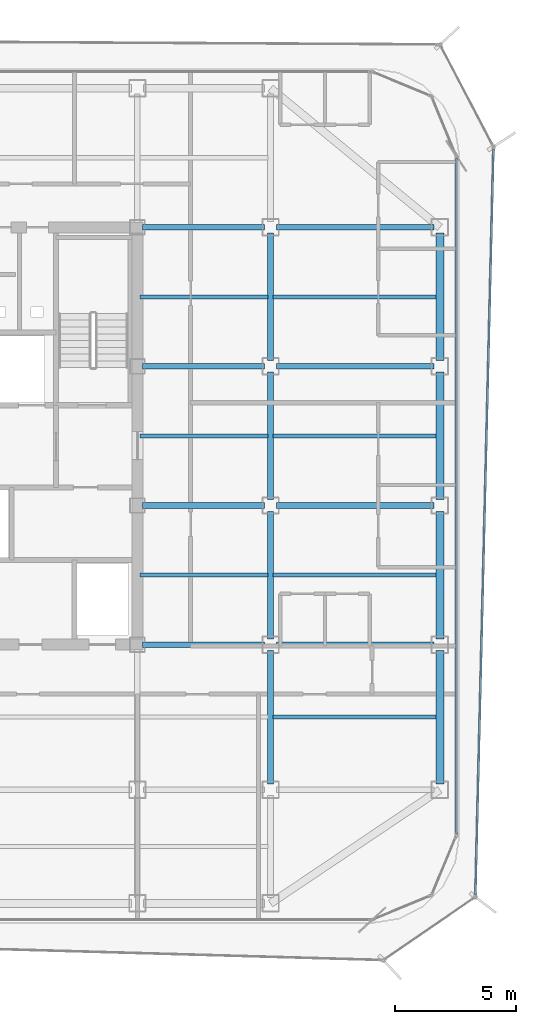
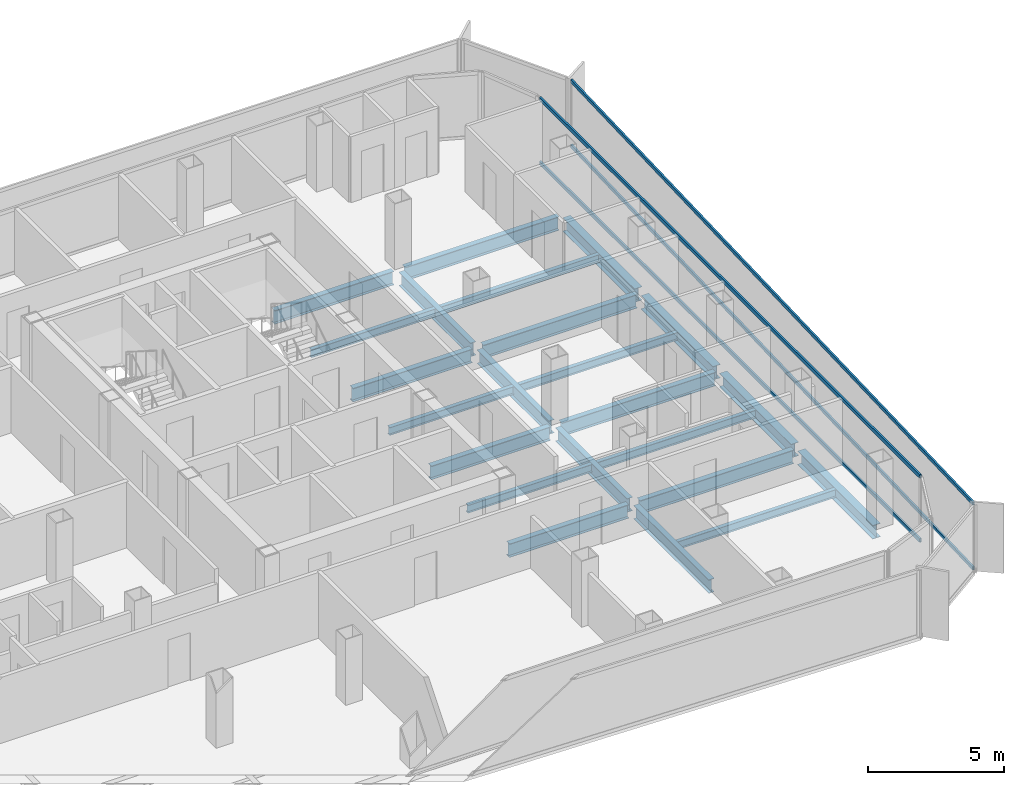
# One storey, part 5 of 15: 23 beams, 4 members, 2 elements without a shape of their own.
"""IFC4 building model written with IfcOpenShell, lengths in metres."""

from ifc_helpers import new_model, si_unit, direction, frame, origin, origin_2d, place, context, subcontext, project, spatial, hollow_rectangle, i_section, extrude, source, transform, mapped, material, layer, layer_set, material_profile, profile_set, type_object, element, aggregate, save


model = new_model("IFC4")

# Units and contexts
model_context = context("Model", 3, precision=1e-05, world=origin(), true_north=direction((0.0, 1.0)))
body_context = subcontext(model_context, "Body", "Model", "MODEL_VIEW")
ifc_project = project(units=[si_unit("LENGTHUNIT", "METRE"), si_unit("AREAUNIT", "SQUARE_METRE"), si_unit("VOLUMEUNIT", "CUBIC_METRE"), si_unit("PLANEANGLEUNIT", "RADIAN"), si_unit("MASSUNIT", "GRAM", prefix="KILO")], contexts=[model_context])

# Site, building, storey
site_placement = place(None, origin())
site = spatial("IfcSite", under=ifc_project, at=site_placement, CompositionType="ELEMENT")
building_placement = place(site_placement, origin())
building = spatial("IfcBuilding", under=site, at=building_placement, Name="Kolveth Station Tower", CompositionType="ELEMENT")
storey_placement = place(building_placement, frame((0.0, 0.0, 168.89990234375)))
storey = spatial("IfcBuildingStorey", under=building, at=storey_placement, Name="L47", CompositionType="ELEMENT", Elevation=168.89990234375)

# Beams
ifc_material_1 = material(Name="Steel S355", Category="steel")
ifc_material_profile_1 = material_profile(ifc_material_1, i_section(OverallWidth=0.323974609375, OverallDepth=0.611083984375, WebThickness=0.0126953125, FlangeThickness=0.01904296875, at=origin_2d()), Name="W610x155")
ifc_profile_set_1 = profile_set([ifc_material_profile_1], Name="Steel S355")
beam_type_1 = type_object("IfcBeamType", Name="Beam_SP2", PredefinedType="SPANDREL", material=ifc_profile_set_1)
shared_shape_1 = source(origin(), body_context, "Body", "SweptSolid", [
    extrude(i_section(OverallWidth=0.323974609375, OverallDepth=0.611083984375, WebThickness=0.0126953125, FlangeThickness=0.01904296875, at=origin_2d()), origin(), (0.0, 0.0, 1.0), 5.52001953125),
])
beam_1_placement = place(storey_placement, frame((41.0, 5.739990234375, -0.555419921875), z_axis=(0.0, 1.0, 0.0), x_axis=(-1.0, 0.0, 0.0)))
element("IfcBeam", 1, at=beam_1_placement, inside=storey, type_object=beam_type_1, Name="L47 Perimeter Spandrel BM-L47-PE-1", PredefinedType="SPANDREL", context=body_context, shape_type="MappedRepresentation", body=[
    mapped(shared_shape_1, transform((0.0, 0.0, 0.0), x_axis=(1.0, 0.0, 0.0), y_axis=(0.0, 1.0, 0.0), z_axis=(0.0, 0.0, 1.0), scale=1.0)),
])
shared_shape_2 = source(origin(), body_context, "Body", "SweptSolid", [
    extrude(i_section(OverallWidth=0.323974609375, OverallDepth=0.611083984375, WebThickness=0.0126953125, FlangeThickness=0.01904296875, at=origin_2d()), origin(), (0.0, 0.0, 1.0), 5.27001953125),
])
for number, where, z_axis, x_axis, name in (
    (2, (41.0, 11.739990234375, -0.555419921875), (0.0, 1.0, 0.0), (-1.0, 0.0, 0.0), "L47 Perimeter Spandrel BM-L47-PE-2"),
    (3, (41.0, 17.489990234375, -0.555419921875), (0.0, 1.0, 0.0), (-1.0, 0.0, 0.0), "L47 Perimeter Spandrel BM-L47-PE-3"),
    (4, (41.0, 23.239990234375, -0.555419921875), (0.0, 1.0, 0.0), (-1.0, 0.0, 0.0), "L47 Perimeter Spandrel BM-L47-PE-4"),
):
    element("IfcBeam", number, at=place(storey_placement, frame(where, z_axis=z_axis, x_axis=x_axis)), inside=storey, type_object=beam_type_1, Name=name, PredefinedType="SPANDREL", context=body_context, shape_type="MappedRepresentation", body=[
        mapped(shared_shape_2, transform((0.0, 0.0, 0.0), x_axis=(1.0, 0.0, 0.0), y_axis=(0.0, 1.0, 0.0), z_axis=(0.0, 0.0, 1.0), scale=1.0)),
    ])
ifc_material_profile_2 = material_profile(ifc_material_1, i_section(OverallWidth=0.22900390625, OverallDepth=0.612060546875, WebThickness=0.011962890625, FlangeThickness=0.01953125, at=origin_2d()), Name="W610x125")
ifc_profile_set_2 = profile_set([ifc_material_profile_2], Name="Steel S355")
beam_type_2 = type_object("IfcBeamType", Name="Beam_B5", PredefinedType="BEAM", material=ifc_profile_set_2)
shared_shape_3 = source(origin(), body_context, "Body", "SweptSolid", [
    extrude(i_section(OverallWidth=0.22900390625, OverallDepth=0.612060546875, WebThickness=0.011962890625, FlangeThickness=0.01953125, at=origin_2d()), origin(), (0.0, 0.0, 1.0), 6.52001953125),
])
for number, where, z_axis, x_axis, name in (
    (5, (34.239990234375, 11.5, -0.555908203125), (1.0, 0.0, 0.0), (0.0, 1.0, 0.0), "L47 Primary Girder BM-L47-GY115-6"),
    (6, (34.239990234375, 17.25, -0.555908203125), (1.0, 0.0, 0.0), (0.0, 1.0, 0.0), "L47 Primary Girder BM-L47-GY172-6"),
    (7, (34.239990234375, 23.0, -0.555908203125), (1.0, 0.0, 0.0), (0.0, 1.0, 0.0), "L47 Primary Girder BM-L47-GY230-6"),
    (8, (34.239990234375, 28.75, -0.555908203125), (1.0, 0.0, 0.0), (0.0, 1.0, 0.0), "L47 Primary Girder BM-L47-GY287-6"),
):
    element("IfcBeam", number, at=place(storey_placement, frame(where, z_axis=z_axis, x_axis=x_axis)), inside=storey, type_object=beam_type_2, Name=name, PredefinedType="BEAM", context=body_context, shape_type="MappedRepresentation", body=[
        mapped(shared_shape_3, transform((0.0, 0.0, 0.0), x_axis=(1.0, 0.0, 0.0), y_axis=(0.0, 1.0, 0.0), z_axis=(0.0, 0.0, 1.0), scale=1.0)),
    ])
shared_shape_4 = source(origin(), body_context, "Body", "SweptSolid", [
    extrude(i_section(OverallWidth=0.22900390625, OverallDepth=0.612060546875, WebThickness=0.011962890625, FlangeThickness=0.01953125, at=origin_2d()), origin(), (0.0, 0.0, 1.0), 5.06005859375),
])
for number, where, z_axis, x_axis, name in (
    (9, (28.699951171875, 11.5, -0.555908203125), (1.0, 0.0, 0.0), (0.0, 1.0, 0.0), "L47 Primary Girder BM-L47-GY115-5"),
    (10, (28.699951171875, 17.25, -0.555908203125), (1.0, 0.0, 0.0), (0.0, 1.0, 0.0), "L47 Primary Girder BM-L47-GY172-5"),
    (11, (28.699951171875, 23.0, -0.555908203125), (1.0, 0.0, 0.0), (0.0, 1.0, 0.0), "L47 Primary Girder BM-L47-GY230-5"),
    (12, (28.699951171875, 28.75, -0.555908203125), (1.0, 0.0, 0.0), (0.0, 1.0, 0.0), "L47 Primary Girder BM-L47-GY287-5"),
):
    element("IfcBeam", number, at=place(storey_placement, frame(where, z_axis=z_axis, x_axis=x_axis)), inside=storey, type_object=beam_type_2, Name=name, PredefinedType="BEAM", context=body_context, shape_type="MappedRepresentation", body=[
        mapped(shared_shape_4, transform((0.0, 0.0, 0.0), x_axis=(1.0, 0.0, 0.0), y_axis=(0.0, 1.0, 0.0), z_axis=(0.0, 0.0, 1.0), scale=1.0)),
    ])
shared_shape_5 = source(origin(), body_context, "Body", "SweptSolid", [
    extrude(i_section(OverallWidth=0.22900390625, OverallDepth=0.612060546875, WebThickness=0.011962890625, FlangeThickness=0.01953125, at=origin_2d()), origin(), (0.0, 0.0, 1.0), 5.52001953125),
])
beam_2_placement = place(storey_placement, frame((34.0, 5.739990234375, -0.555908203125), z_axis=(0.0, 1.0, 0.0), x_axis=(-1.0, 0.0, 0.0)))
element("IfcBeam", 13, at=beam_2_placement, inside=storey, type_object=beam_type_2, Name="L47 Primary Girder BM-L47-GX340-2", PredefinedType="BEAM", context=body_context, shape_type="MappedRepresentation", body=[
    mapped(shared_shape_5, transform((0.0, 0.0, 0.0), x_axis=(1.0, 0.0, 0.0), y_axis=(0.0, 1.0, 0.0), z_axis=(0.0, 0.0, 1.0), scale=1.0)),
])
shared_shape_6 = source(origin(), body_context, "Body", "SweptSolid", [
    extrude(i_section(OverallWidth=0.22900390625, OverallDepth=0.612060546875, WebThickness=0.011962890625, FlangeThickness=0.01953125, at=origin_2d()), origin(), (0.0, 0.0, 1.0), 5.27001953125),
])
for number, where, z_axis, x_axis, name in (
    (14, (34.0, 11.739990234375, -0.555908203125), (0.0, 1.0, 0.0), (-1.0, 0.0, 0.0), "L47 Primary Girder BM-L47-GX340-3"),
    (15, (34.0, 17.489990234375, -0.555908203125), (0.0, 1.0, 0.0), (-1.0, 0.0, 0.0), "L47 Primary Girder BM-L47-GX340-4"),
    (16, (34.0, 23.239990234375, -0.555908203125), (0.0, 1.0, 0.0), (-1.0, 0.0, 0.0), "L47 Primary Girder BM-L47-GX340-5"),
):
    element("IfcBeam", number, at=place(storey_placement, frame(where, z_axis=z_axis, x_axis=x_axis)), inside=storey, type_object=beam_type_2, Name=name, PredefinedType="BEAM", context=body_context, shape_type="MappedRepresentation", body=[
        mapped(shared_shape_6, transform((0.0, 0.0, 0.0), x_axis=(1.0, 0.0, 0.0), y_axis=(0.0, 1.0, 0.0), z_axis=(0.0, 0.0, 1.0), scale=1.0)),
    ])
ifc_material_profile_3 = material_profile(ifc_material_1, i_section(OverallWidth=0.1708984375, OverallDepth=0.35205078125, WebThickness=0.0068359375, FlangeThickness=0.009765625, at=origin_2d()), Name="W360x44")
ifc_profile_set_3 = profile_set([ifc_material_profile_3], Name="Steel S355")
beam_type_3 = type_object("IfcBeamType", Name="Beam_J2", PredefinedType="JOIST", material=ifc_profile_set_3)
shared_shape_7 = source(origin(), body_context, "Body", "SweptSolid", [
    extrude(i_section(OverallWidth=0.1708984375, OverallDepth=0.35205078125, WebThickness=0.0068359375, FlangeThickness=0.009765625, at=origin_2d()), origin(), (0.0, 0.0, 1.0), 5.27490234375),
])
for number, where, z_axis, x_axis, name in (
    (17, (28.612548828125, 14.375, -0.42578125), (1.0, 0.0, 0.0), (0.0, 1.0, 0.0), "L47 Secondary Joist JST-L47-5-3"),
    (18, (28.612548828125, 20.125, -0.42578125), (1.0, 0.0, 0.0), (0.0, 1.0, 0.0), "L47 Secondary Joist JST-L47-5-4"),
    (19, (28.612548828125, 25.875, -0.42578125), (1.0, 0.0, 0.0), (0.0, 1.0, 0.0), "L47 Secondary Joist JST-L47-5-5"),
):
    element("IfcBeam", number, at=place(storey_placement, frame(where, z_axis=z_axis, x_axis=x_axis)), inside=storey, type_object=beam_type_3, Name=name, PredefinedType="JOIST", context=body_context, shape_type="MappedRepresentation", body=[
        mapped(shared_shape_7, transform((0.0, 0.0, 0.0), x_axis=(1.0, 0.0, 0.0), y_axis=(0.0, 1.0, 0.0), z_axis=(0.0, 0.0, 1.0), scale=1.0)),
    ])
shared_shape_8 = source(origin(), body_context, "Body", "SweptSolid", [
    extrude(i_section(OverallWidth=0.1708984375, OverallDepth=0.35205078125, WebThickness=0.0068359375, FlangeThickness=0.009765625, at=origin_2d()), origin(), (0.0, 0.0, 1.0), 6.7275390625),
])
for number, where, z_axis, x_axis, name in (
    (20, (34.112548828125, 8.5, -0.42578125), (1.0, 0.0, 0.0), (0.0, 1.0, 0.0), "L47 Secondary Joist JST-L47-6-2"),
    (21, (34.112548828125, 14.375, -0.42578125), (1.0, 0.0, 0.0), (0.0, 1.0, 0.0), "L47 Secondary Joist JST-L47-6-3"),
    (22, (34.112548828125, 20.125, -0.42578125), (1.0, 0.0, 0.0), (0.0, 1.0, 0.0), "L47 Secondary Joist JST-L47-6-4"),
    (23, (34.112548828125, 25.875, -0.42578125), (1.0, 0.0, 0.0), (0.0, 1.0, 0.0), "L47 Secondary Joist JST-L47-6-5"),
):
    element("IfcBeam", number, at=place(storey_placement, frame(where, z_axis=z_axis, x_axis=x_axis)), inside=storey, type_object=beam_type_3, Name=name, PredefinedType="JOIST", context=body_context, shape_type="MappedRepresentation", body=[
        mapped(shared_shape_8, transform((0.0, 0.0, 0.0), x_axis=(1.0, 0.0, 0.0), y_axis=(0.0, 1.0, 0.0), z_axis=(0.0, 0.0, 1.0), scale=1.0)),
    ])

# Curtain wall, members
ifc_material_2 = material(Name="Aluminium 6063-T6 and low-E dark glass", Category="aluminium")
ifc_layer_1 = layer(ifc_material_2, 0.18994140625)
ifc_layer_set_1 = layer_set([ifc_layer_1], Name="Aluminium 6063-T6 and low-E dark glass")
curtain_wall_type_1 = type_object("IfcCurtainWallType", Name="CurtainWall_CW-Z2", PredefinedType="NOTDEFINED", material=ifc_layer_set_1)
curtain_wall_1_placement = place(storey_placement, origin())
curtain_wall_1 = element("IfcCurtainWall", 24, at=curtain_wall_1_placement, inside=storey, type_object=curtain_wall_type_1, Name="L47 Inner Thermal Curtain Wall 3", PredefinedType="NOTDEFINED")
ifc_material_3 = material(Name="Black anodized aluminium 6063-T6", Category="aluminium")
ifc_material_profile_4 = material_profile(ifc_material_3, hollow_rectangle(XDim=0.080078125, YDim=0.169921875, WallThickness=0.0048828125, at=origin_2d()), Name="ALU-80x170x5")
ifc_profile_set_4 = profile_set([ifc_material_profile_4], Name="Black anodized aluminium 6063-T6")
member_type_1 = type_object("IfcMemberType", Name="Transom_TR2", PredefinedType="USERDEFINED", material=ifc_profile_set_4)
shared_shape_9 = source(origin(), body_context, "Body", "SweptSolid", [
    extrude(hollow_rectangle(XDim=0.080078125, YDim=0.169921875, WallThickness=0.0048828125, at=origin_2d()), origin(), (0.0, 0.0, 1.0), 27.940185546875),
])
member_1_placement = place(storey_placement, frame((41.679931640625, 3.679931640625, 0.0400390625), z_axis=(0.0, 1.0, 0.0), x_axis=(-1.0, 0.0, 0.0)))
member_1 = element("IfcMember", 25, at=member_1_placement, type_object=member_type_1, Name="CW-Z2 transom 1.1", ObjectType="TRANSOM", PredefinedType="USERDEFINED", context=body_context, shape_type="MappedRepresentation", body=[
    mapped(shared_shape_9, transform((0.0, 0.0, 0.0), x_axis=(1.0, 0.0, 0.0), y_axis=(0.0, 1.0, 0.0), z_axis=(0.0, 0.0, 1.0), scale=1.0)),
])
member_2_placement = place(storey_placement, frame((41.679931640625, 3.679931640625, 2.91015625), z_axis=(0.0, 1.0, 0.0), x_axis=(-1.0, 0.0, 0.0)))
member_2 = element("IfcMember", 26, at=member_2_placement, type_object=member_type_1, Name="CW-Z2 transom 1.2", ObjectType="TRANSOM", PredefinedType="USERDEFINED", context=body_context, shape_type="MappedRepresentation", body=[
    mapped(shared_shape_9, transform((0.0, 0.0, 0.0), x_axis=(1.0, 0.0, 0.0), y_axis=(0.0, 1.0, 0.0), z_axis=(0.0, 0.0, 1.0), scale=1.0)),
])
aggregate(curtain_wall_1, [member_1, member_2])

ifc_material_4 = material(Name="Black anodized aluminium 6063-T6 and dark solar glass", Category="aluminium")
ifc_layer_2 = layer(ifc_material_4, 0.159912109375)
ifc_layer_set_2 = layer_set([ifc_layer_2], Name="Black anodized aluminium 6063-T6 and dark solar glass")
curtain_wall_type_2 = type_object("IfcCurtainWallType", Name="OUTER SKIN CW-OS", PredefinedType="NOTDEFINED", material=ifc_layer_set_2)
curtain_wall_2_placement = place(storey_placement, origin())
curtain_wall_2 = element("IfcCurtainWall", 27, at=curtain_wall_2_placement, inside=storey, type_object=curtain_wall_type_2, Name="L47 Outer Ventilated Skin Curtain Wall 2", PredefinedType="NOTDEFINED")
ifc_material_profile_5 = material_profile(ifc_material_3, hollow_rectangle(XDim=0.080078125, YDim=0.14990234375, WallThickness=0.0048828125, at=origin_2d()), Name="ALU-80x150x5")
ifc_profile_set_5 = profile_set([ifc_material_profile_5], Name="Black anodized aluminium 6063-T6")
member_type_2 = type_object("IfcMemberType", Name="Transom_TR-OS", PredefinedType="USERDEFINED", material=ifc_profile_set_5)
shared_shape_10 = source(origin(), body_context, "Body", "SweptSolid", [
    extrude(hollow_rectangle(XDim=0.080078125, YDim=0.14990234375, WallThickness=0.0048828125, at=origin_2d()), origin(), (0.0, 0.0, 1.0), 30.84326171875),
])
member_3_placement = place(storey_placement, frame((42.47119140625, 1.156982421875, 0.0400390625), z_axis=(0.024158208567, 0.999708147891, 0.0), x_axis=(-0.999708147891, 0.024158208567, 0.0)))
member_3 = element("IfcMember", 28, at=member_3_placement, type_object=member_type_2, Name="CW-OS transom 1.1", ObjectType="TRANSOM", PredefinedType="USERDEFINED", context=body_context, shape_type="MappedRepresentation", body=[
    mapped(shared_shape_10, transform((0.0, 0.0, 0.0), x_axis=(1.0, 0.0, 0.0), y_axis=(0.0, 1.0, 0.0), z_axis=(0.0, 0.0, 1.0), scale=1.0)),
])
member_4_placement = place(storey_placement, frame((42.47119140625, 1.156982421875, 2.9501953125), z_axis=(0.024158208567, 0.999708147891, 0.0), x_axis=(-0.999708147891, 0.024158208567, 0.0)))
member_4 = element("IfcMember", 29, at=member_4_placement, type_object=member_type_2, Name="CW-OS transom 1.2", ObjectType="TRANSOM", PredefinedType="USERDEFINED", context=body_context, shape_type="MappedRepresentation", body=[
    mapped(shared_shape_10, transform((0.0, 0.0, 0.0), x_axis=(1.0, 0.0, 0.0), y_axis=(0.0, 1.0, 0.0), z_axis=(0.0, 0.0, 1.0), scale=1.0)),
])
aggregate(curtain_wall_2, [member_3, member_4])

save(model, "model.ifc")
